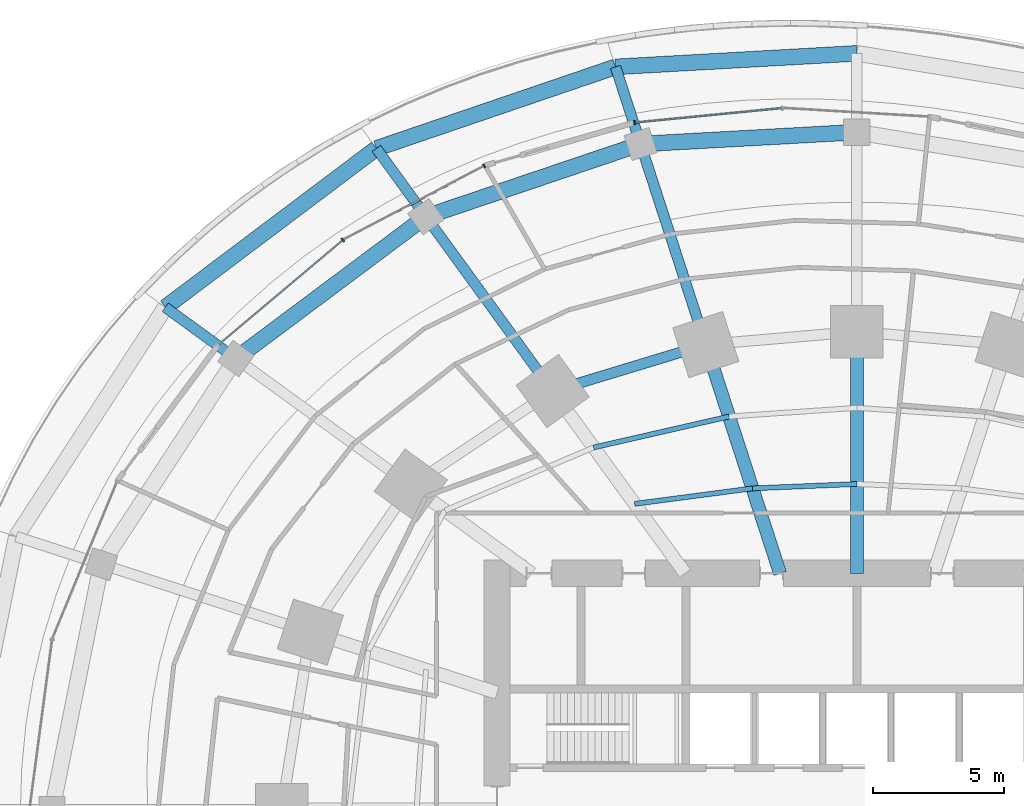
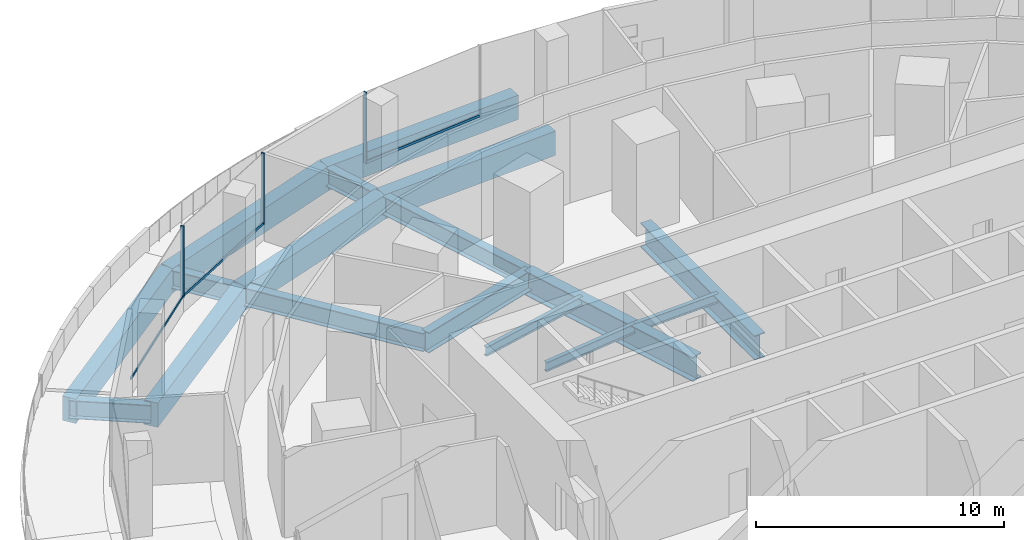
# One storey, part 9 of 26: 17 beams, 6 members, 2 elements without a shape of their own.
"""IFC4 building model written with IfcOpenShell, lengths in metres."""

from ifc_helpers import new_model, si_unit, direction, frame, origin, origin_2d, place, context, subcontext, project, spatial, rectangle, i_section, extrude, material, material_profile, profile_set, type_object, element, aggregate, save


model = new_model("IFC4")

# Units and contexts
model_context = context("Model", 3, precision=1e-05, world=origin(), true_north=direction((0.0, 1.0)))
body_context = subcontext(model_context, "Body", "Model", "MODEL_VIEW")
ifc_project = project(units=[si_unit("LENGTHUNIT", "METRE"), si_unit("AREAUNIT", "SQUARE_METRE"), si_unit("VOLUMEUNIT", "CUBIC_METRE"), si_unit("PLANEANGLEUNIT", "RADIAN"), si_unit("MASSUNIT", "GRAM", prefix="KILO")], contexts=[model_context])

# Site, building, storey
site_placement = place(None, origin())
site = spatial("IfcSite", under=ifc_project, at=site_placement, CompositionType="ELEMENT")
building_placement = place(site_placement, origin())
building = spatial("IfcBuilding", under=site, at=building_placement, Name="Marramba Exchange Tower", CompositionType="ELEMENT")
storey_placement = place(building_placement, frame((0.0, 0.0, 15.10009765625)))
storey = spatial("IfcBuildingStorey", under=building, at=storey_placement, Name="L03", CompositionType="ELEMENT", Elevation=15.10009765625)

# Beams
ifc_material_1 = material(Name="Concrete N50", Category="concrete")
ifc_material_profile_1 = material_profile(ifc_material_1, rectangle(XDim=0.60009765625, YDim=1.199951171875, at=origin_2d()), Name="RC 600x1200")
ifc_profile_set_1 = profile_set([ifc_material_profile_1], Name="Concrete N50")
beam_type_1 = type_object("IfcBeamType", Name="Edge beam RC 600x1200 N50", PredefinedType="SPANDREL", material=ifc_profile_set_1)
beam_1_placement = place(storey_placement, frame((0.0, 28.800048828125, -0.85009765625), z_axis=(-0.998431244986, -0.055991508598, 0.0), x_axis=(0.055991508598, -0.998431244986, 0.0)))
element("IfcBeam", 1, at=beam_1_placement, inside=storey, type_object=beam_type_1, Name="Edge beam L03 P2C06", PredefinedType="SPANDREL", context=body_context, shape_type="SweptSolid", body=[
    extrude(rectangle(XDim=0.60009765625, YDim=1.199951171875, at=origin_2d()), origin(), (0.0, 0.0, 1.0), 9.20458984375),
])
beam_2_placement = place(storey_placement, frame((-9.190185546875, 28.28466796875, -0.85009765625), z_axis=(-0.946485697002, -0.322745759649, 0.0), x_axis=(0.322745759649, -0.946485697002, 0.0)))
element("IfcBeam", 2, at=beam_2_placement, inside=storey, type_object=beam_type_1, Name="Edge beam L03 P2C07", PredefinedType="SPANDREL", context=body_context, shape_type="SweptSolid", body=[
    extrude(rectangle(XDim=0.60009765625, YDim=1.199951171875, at=origin_2d()), origin(), (0.0, 0.0, 1.0), 9.618896484375),
])
beam_3_placement = place(storey_placement, frame((-18.29443359375, 25.18017578125, -0.85009765625), z_axis=(-0.799014535073, -0.601311710132, 0.0), x_axis=(0.601311710132, -0.799014535073, 0.0)))
element("IfcBeam", 3, at=beam_3_placement, inside=storey, type_object=beam_type_1, Name="Edge beam L03 P2C08", PredefinedType="SPANDREL", context=body_context, shape_type="SweptSolid", body=[
    extrude(rectangle(XDim=0.60009765625, YDim=1.199951171875, at=origin_2d()), origin(), (0.0, 0.0, 1.0), 10.059326171875),
])
beam_4_placement = place(storey_placement, frame((0.0, 25.800048828125, -0.800048828125), z_axis=(-0.998493145598, -0.054876572358, 0.0), x_axis=(0.054876572358, -0.998493145598, 0.0)))
element("IfcBeam", 4, at=beam_4_placement, inside=storey, type_object=beam_type_1, Name="Edge beam L03 P3C06", PredefinedType="SPANDREL", context=body_context, shape_type="SweptSolid", body=[
    extrude(rectangle(XDim=0.60009765625, YDim=1.199951171875, at=origin_2d()), origin(), (0.0, 0.0, 1.0), 8.248291015625),
])
beam_5_placement = place(storey_placement, frame((-8.23583984375, 25.347412109375, -0.800048828125), z_axis=(-0.947330534482, -0.320257487715, 0.0), x_axis=(0.320257487715, -0.947330534482, 0.0)))
element("IfcBeam", 5, at=beam_5_placement, inside=storey, type_object=beam_type_1, Name="Edge beam L03 P3C07", PredefinedType="SPANDREL", context=body_context, shape_type="SweptSolid", body=[
    extrude(rectangle(XDim=0.60009765625, YDim=1.199951171875, at=origin_2d()), origin(), (0.0, 0.0, 1.0), 8.627197265625),
])
beam_6_placement = place(storey_placement, frame((-16.40869140625, 22.58447265625, -0.800048828125), z_axis=(-0.801143536075, -0.598472250489, 0.0), x_axis=(0.598472250489, -0.801143536075, 0.0)))
element("IfcBeam", 6, at=beam_6_placement, inside=storey, type_object=beam_type_1, Name="Edge beam L03 P3C08", PredefinedType="SPANDREL", context=body_context, shape_type="SweptSolid", body=[
    extrude(rectangle(XDim=0.60009765625, YDim=1.199951171875, at=origin_2d()), origin(), (0.0, 0.0, 1.0), 9.0322265625),
])
ifc_material_2 = material(Name="Steel AS/NZS 3679.1 grade 300", Category="steel")
ifc_material_profile_2 = material_profile(ifc_material_2, i_section(OverallWidth=0.18994140625, OverallDepth=0.4541015625, WebThickness=0.008544921875, FlangeThickness=0.0126953125, FilletRadius=0.011474609375, at=origin_2d()), Name="460UB67.1")
ifc_profile_set_2 = profile_set([ifc_material_profile_2], Name="Steel AS/NZS 3679.1 grade 300")
beam_type_2 = type_object("IfcBeamType", Name="Floor joist 460UB67.1", PredefinedType="JOIST", material=ifc_profile_set_2)
beam_7_placement = place(storey_placement, frame((0.0, 12.4013671875, -0.427001953125), z_axis=(-0.999137002892, -0.041536122257, 0.0), x_axis=(0.041536122257, -0.999137002892, 0.0)))
element("IfcBeam", 7, at=beam_7_placement, inside=storey, type_object=beam_type_2, Name="Joist L03 bay 06 row 1", PredefinedType="JOIST", context=body_context, shape_type="SweptSolid", body=[
    extrude(i_section(OverallWidth=0.18994140625, OverallDepth=0.4541015625, WebThickness=0.008544921875, FlangeThickness=0.0126953125, FilletRadius=0.011474609375, at=origin_2d()), origin(), (0.0, 0.0, 1.0), 3.979248046875),
])
beam_8_placement = place(storey_placement, frame((-3.975830078125, 12.236083984375, -0.427001953125), z_axis=(-0.991480538255, -0.130254912618, 0.0), x_axis=(0.130254912618, -0.991480538255, 0.0)))
element("IfcBeam", 8, at=beam_8_placement, inside=storey, type_object=beam_type_2, Name="Joist L03 bay 07 row 1", PredefinedType="JOIST", context=body_context, shape_type="SweptSolid", body=[
    extrude(i_section(OverallWidth=0.18994140625, OverallDepth=0.4541015625, WebThickness=0.008544921875, FlangeThickness=0.0126953125, FilletRadius=0.011474609375, at=origin_2d()), origin(), (0.0, 0.0, 1.0), 4.524658203125),
])
beam_9_placement = place(storey_placement, frame((-4.86474609375, 14.972412109375, -0.427001953125), z_axis=(-0.974859652292, -0.222819788916, 0.0), x_axis=(0.222819788916, -0.974859652292, 0.0)))
element("IfcBeam", 9, at=beam_9_placement, inside=storey, type_object=beam_type_2, Name="Joist L03 bay 07 row 2", PredefinedType="JOIST", context=body_context, shape_type="SweptSolid", body=[
    extrude(i_section(OverallWidth=0.18994140625, OverallDepth=0.4541015625, WebThickness=0.008544921875, FlangeThickness=0.0126953125, FilletRadius=0.011474609375, at=origin_2d()), origin(), (0.0, 0.0, 1.0), 5.2900390625),
])

# Curtain wall, member
ifc_material_3 = material(Name="Aluminium framing, bronze anodised", Category="aluminium")
curtain_wall_type = type_object("IfcCurtainWallType", Name="Podium ribbon curtain wall", PredefinedType="USERDEFINED", material=ifc_material_3)
curtain_wall_1_placement = place(storey_placement, origin())
curtain_wall_1 = element("IfcCurtainWall", 10, at=curtain_wall_1_placement, inside=storey, type_object=curtain_wall_type, Name="Curtain wall CW2 L03 F08-F09", ObjectType="RIBBON CURTAIN WALL", PredefinedType="USERDEFINED")
ifc_material_4 = material(Name="Aluminium mullion, bronze anodised", Category="aluminium")
ifc_material_profile_3 = material_profile(ifc_material_4, rectangle(XDim=0.159912109375, YDim=0.06005859375, at=origin_2d()), Name="CW2 mullion 60x160")
ifc_profile_set_3 = profile_set([ifc_material_profile_3], Name="Aluminium mullion, bronze anodised")
member_type_1 = type_object("IfcMemberType", Name="Podium ribbon curtain wall mullion", PredefinedType="MULLION", material=ifc_profile_set_3)
member_1_placement = place(storey_placement, frame((-8.46875, 26.158935546875, 0.7998046875), z_axis=(0.0, 0.0, 1.0), x_axis=(0.097914390115, -0.995194841329, 0.0)))
member_1 = element("IfcMember", 11, at=member_1_placement, type_object=member_type_1, Name="CW2 mullion 2", PredefinedType="MULLION", context=body_context, shape_type="SweptSolid", body=[
    extrude(rectangle(XDim=0.159912109375, YDim=0.06005859375, at=origin_2d()), origin(), (0.0, 0.0, 1.0), 3.5),
])

# Curtain wall, members
curtain_wall_2_placement = place(storey_placement, origin())
curtain_wall_2 = element("IfcCurtainWall", 12, at=curtain_wall_2_placement, inside=storey, type_object=curtain_wall_type, Name="Curtain wall CW2 L03 F11-F12", ObjectType="RIBBON CURTAIN WALL", PredefinedType="USERDEFINED")
member_2_placement = place(storey_placement, frame((-14.18798828125, 24.514404296875, 0.7998046875), z_axis=(0.0, 0.0, 1.0), x_axis=(0.463566904687, -0.886061919325, 0.0)))
member_2 = element("IfcMember", 13, at=member_2_placement, type_object=member_type_1, Name="CW2 mullion 1", PredefinedType="MULLION", context=body_context, shape_type="SweptSolid", body=[
    extrude(rectangle(XDim=0.159912109375, YDim=0.06005859375, at=origin_2d()), origin(), (0.0, 0.0, 1.0), 3.5),
])
member_3_placement = place(storey_placement, frame((-19.57080078125, 21.69091796875, 0.7998046875), z_axis=(0.0, 0.0, 1.0), x_axis=(0.644390072041, -0.764696956352, 0.0)))
member_3 = element("IfcMember", 14, at=member_3_placement, type_object=member_type_1, Name="CW2 mullion 1", PredefinedType="MULLION", context=body_context, shape_type="SweptSolid", body=[
    extrude(rectangle(XDim=0.159912109375, YDim=0.06005859375, at=origin_2d()), origin(), (0.0, 0.0, 1.0), 3.5),
])

# Member
ifc_material_5 = material(Name="Aluminium transom, bronze anodised", Category="aluminium")
ifc_material_profile_4 = material_profile(ifc_material_5, rectangle(XDim=0.06005859375, YDim=0.1201171875, at=origin_2d()), Name="CW2 transom 60x120")
ifc_profile_set_4 = profile_set([ifc_material_profile_4], Name="Aluminium transom, bronze anodised")
member_type_2 = type_object("IfcMemberType", Name="Podium ribbon curtain wall transom", PredefinedType="USERDEFINED", material=ifc_profile_set_4)
member_4_placement = place(storey_placement, frame((-2.86767578125, 26.7099609375, 0.829833984375), z_axis=(-0.99519566954, -0.097905971872, 0.0), x_axis=(0.097905971872, -0.99519566954, 0.0)))
member_4 = element("IfcMember", 15, at=member_4_placement, type_object=member_type_2, Name="CW2 sill transom", ObjectType="TRANSOM", PredefinedType="USERDEFINED", context=body_context, shape_type="SweptSolid", body=[
    extrude(rectangle(XDim=0.06005859375, YDim=0.1201171875, at=origin_2d()), origin(), (0.0, 0.0, 1.0), 5.59814453125),
])

aggregate(curtain_wall_1, [member_1, member_4])

member_5_placement = place(storey_placement, frame((-14.214599609375, 24.50048828125, 0.829833984375), z_axis=(-0.886058485098, -0.463573468811, 0.0), x_axis=(0.463573468811, -0.886058485098, 0.0)))
member_5 = element("IfcMember", 16, at=member_5_placement, type_object=member_type_2, Name="CW2 sill transom", ObjectType="TRANSOM", PredefinedType="USERDEFINED", context=body_context, shape_type="SweptSolid", body=[
    extrude(rectangle(XDim=0.06005859375, YDim=0.1201171875, at=origin_2d()), origin(), (0.0, 0.0, 1.0), 6.01904296875),
])

member_6_placement = place(storey_placement, frame((-19.59375, 21.671630859375, 0.829833984375), z_axis=(-0.764677992397, -0.644412575873, 0.0), x_axis=(0.644412575873, -0.764677992397, 0.0)))
member_6 = element("IfcMember", 17, at=member_6_placement, type_object=member_type_2, Name="CW2 sill transom", ObjectType="TRANSOM", PredefinedType="USERDEFINED", context=body_context, shape_type="SweptSolid", body=[
    extrude(rectangle(XDim=0.06005859375, YDim=0.1201171875, at=origin_2d()), origin(), (0.0, 0.0, 1.0), 6.13671875),
])

aggregate(curtain_wall_2, [member_2, member_5, member_3, member_6])

# Beams
ifc_material_6 = material(Name="Steel AS/NZS 3679.2 grade 300", Category="steel")
ifc_material_profile_5 = material_profile(ifc_material_6, i_section(OverallWidth=0.5, OverallDepth=1.199951171875, WebThickness=0.01611328125, FlangeThickness=0.0400390625, at=origin_2d()), Name="1200WB455")
ifc_profile_set_5 = profile_set([ifc_material_profile_5], Name="Steel AS/NZS 3679.2 grade 300")
beam_type_3 = type_object("IfcBeamType", Name="Radial girder 1200WB455", PredefinedType="BEAM", material=ifc_profile_set_5)
beam_10_placement = place(storey_placement, frame((0.0, 9.0, -0.800048828125), z_axis=(0.0, 1.0, 0.0), x_axis=(-1.0, 0.0, 0.0)))
element("IfcBeam", 18, at=beam_10_placement, inside=storey, type_object=beam_type_3, Name="Radial girder L03 TC06", PredefinedType="BEAM", context=body_context, shape_type="SweptSolid", body=[
    extrude(i_section(OverallWidth=0.5, OverallDepth=1.199951171875, WebThickness=0.01611328125, FlangeThickness=0.0400390625, at=origin_2d()), origin(), (0.0, 0.0, 1.0), 9.2041015625),
])
beam_11_placement = place(storey_placement, frame((-2.92431640625, 9.0, -0.800048828125), z_axis=(-0.309019754162, 0.951055619582, 0.0), x_axis=(-0.951055619582, -0.309019754162, 0.0)))
element("IfcBeam", 19, at=beam_11_placement, inside=storey, type_object=beam_type_3, Name="Radial girder L03 TC07", PredefinedType="BEAM", context=body_context, shape_type="SweptSolid", body=[
    extrude(i_section(OverallWidth=0.5, OverallDepth=1.199951171875, WebThickness=0.01611328125, FlangeThickness=0.0400390625, at=origin_2d()), origin(), (0.0, 0.0, 1.0), 9.15673828125),
])
ifc_material_profile_6 = material_profile(ifc_material_6, i_section(OverallWidth=0.39990234375, OverallDepth=0.89990234375, WebThickness=0.01611328125, FlangeThickness=0.031982421875, at=origin_2d()), Name="900WB282")
ifc_profile_set_6 = profile_set([ifc_material_profile_6], Name="Steel AS/NZS 3679.2 grade 300")
beam_type_4 = type_object("IfcBeamType", Name="Radial girder 900WB282", PredefinedType="BEAM", material=ifc_profile_set_6)
beam_12_placement = place(storey_placement, frame((-9.190185546875, 28.28466796875, -0.7001953125), z_axis=(0.309009210268, -0.951059045469, 0.0), x_axis=(0.951059045469, 0.309009210268, 0.0)))
element("IfcBeam", 20, at=beam_12_placement, inside=storey, type_object=beam_type_4, Name="Radial girder L03 P2C07", PredefinedType="BEAM", context=body_context, shape_type="SweptSolid", body=[
    extrude(i_section(OverallWidth=0.39990234375, OverallDepth=0.89990234375, WebThickness=0.01611328125, FlangeThickness=0.031982421875, at=origin_2d()), origin(), (0.0, 0.0, 1.0), 3.08837890625),
])
beam_13_placement = place(storey_placement, frame((-18.29443359375, 25.18017578125, -0.7001953125), z_axis=(0.587755361263, -0.809038710635, 0.0), x_axis=(0.809038710635, 0.587755361263, 0.0)))
element("IfcBeam", 21, at=beam_13_placement, inside=storey, type_object=beam_type_4, Name="Radial girder L03 P2C08", PredefinedType="BEAM", context=body_context, shape_type="SweptSolid", body=[
    extrude(i_section(OverallWidth=0.39990234375, OverallDepth=0.89990234375, WebThickness=0.01611328125, FlangeThickness=0.031982421875, at=origin_2d()), origin(), (0.0, 0.0, 1.0), 3.20849609375),
])
beam_14_placement = place(storey_placement, frame((-26.33203125, 19.13134765625, -0.7001953125), z_axis=(0.809018867973, -0.587782673497, 0.0), x_axis=(0.587782673497, 0.809018867973, 0.0)))
element("IfcBeam", 22, at=beam_14_placement, inside=storey, type_object=beam_type_4, Name="Radial girder L03 P2C09", PredefinedType="BEAM", context=body_context, shape_type="SweptSolid", body=[
    extrude(i_section(OverallWidth=0.39990234375, OverallDepth=0.89990234375, WebThickness=0.01611328125, FlangeThickness=0.031982421875, at=origin_2d()), origin(), (0.0, 0.0, 1.0), 3.321533203125),
])
beam_15_placement = place(storey_placement, frame((-8.23583984375, 25.347412109375, -0.650146484375), z_axis=(0.309005656737, -0.951060200042, 0.0), x_axis=(0.951060200042, 0.309005656737, 0.0)))
element("IfcBeam", 23, at=beam_15_placement, inside=storey, type_object=beam_type_4, Name="Radial girder L03 P3C07", PredefinedType="BEAM", context=body_context, shape_type="SweptSolid", body=[
    extrude(i_section(OverallWidth=0.39990234375, OverallDepth=0.89990234375, WebThickness=0.01611328125, FlangeThickness=0.031982421875, at=origin_2d()), origin(), (0.0, 0.0, 1.0), 8.031982421875),
])
beam_16_placement = place(storey_placement, frame((-16.40869140625, 22.58447265625, -0.650146484375), z_axis=(0.587802211643, -0.809004672414, 0.0), x_axis=(0.809004672414, 0.587802211643, 0.0)))
element("IfcBeam", 24, at=beam_16_placement, inside=storey, type_object=beam_type_4, Name="Radial girder L03 P3C08", PredefinedType="BEAM", context=body_context, shape_type="SweptSolid", body=[
    extrude(i_section(OverallWidth=0.39990234375, OverallDepth=0.89990234375, WebThickness=0.01611328125, FlangeThickness=0.031982421875, at=origin_2d()), origin(), (0.0, 0.0, 1.0), 8.212646484375),
])
ifc_material_profile_7 = material_profile(ifc_material_6, i_section(OverallWidth=0.39990234375, OverallDepth=1.0, WebThickness=0.01611328125, FlangeThickness=0.031982421875, at=origin_2d()), Name="1000WB322")
ifc_profile_set_7 = profile_set([ifc_material_profile_7], Name="Steel AS/NZS 3679.2 grade 300")
beam_type_5 = type_object("IfcBeamType", Name="Ring beam 1000WB322", PredefinedType="SPANDREL", material=ifc_profile_set_7)
beam_17_placement = place(storey_placement, frame((-5.75390625, 17.70849609375, -0.7001953125), z_axis=(-0.956924542524, -0.290336735387, 0.0), x_axis=(0.290336735387, -0.956924542524, 0.0)))
element("IfcBeam", 25, at=beam_17_placement, inside=storey, type_object=beam_type_5, Name="Ring beam L03 TC07-TC08", PredefinedType="SPANDREL", context=body_context, shape_type="SweptSolid", body=[
    extrude(i_section(OverallWidth=0.39990234375, OverallDepth=1.0, WebThickness=0.01611328125, FlangeThickness=0.031982421875, at=origin_2d()), origin(), (0.0, 0.0, 1.0), 6.089599609375),
])

save(model, "model.ifc")
